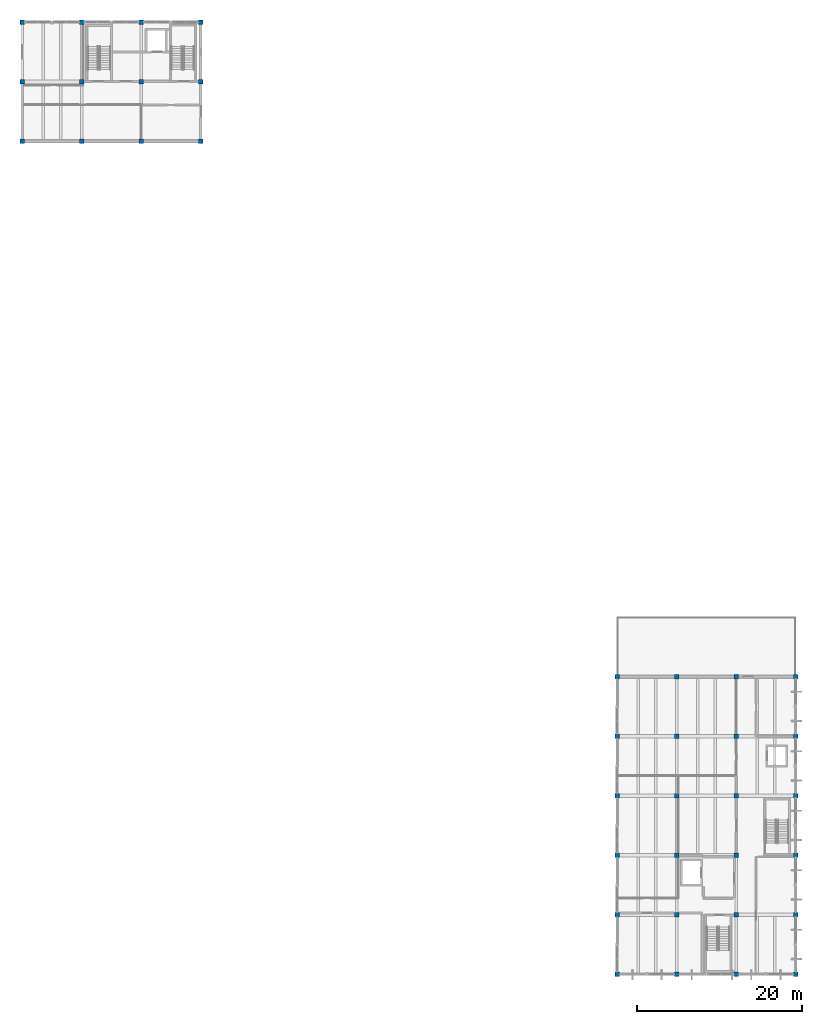
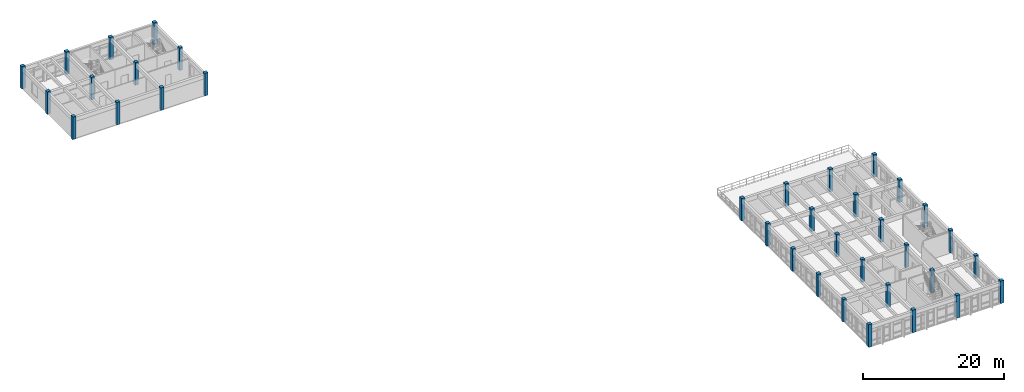
# One storey, part 1 of 22: 36 columns.
"""IFC4 building model written with IfcOpenShell, lengths in metres."""

from ifc_helpers import new_model, si_unit, direction, frame, origin, origin_2d, place, context, subcontext, project, spatial, rectangle, extrude, material, material_profile, profile_set, type_object, element, save


model = new_model("IFC4")

# Units and contexts
model_context = context("Model", 3, precision=1e-05, world=origin(), true_north=direction((0.0, 1.0)))
body_context = subcontext(model_context, "Body", "Model", "MODEL_VIEW")
ifc_project = project(units=[si_unit("LENGTHUNIT", "METRE"), si_unit("AREAUNIT", "SQUARE_METRE"), si_unit("VOLUMEUNIT", "CUBIC_METRE"), si_unit("PLANEANGLEUNIT", "RADIAN"), si_unit("MASSUNIT", "GRAM", prefix="KILO")], contexts=[model_context])

# Site, building, storey
site_placement = place(None, origin())
site = spatial("IfcSite", under=ifc_project, at=site_placement, CompositionType="ELEMENT")
building_placement = place(site_placement, origin())
building = spatial("IfcBuilding", under=site, at=building_placement, Name="Koriwan Promenade Central Fire Station", CompositionType="ELEMENT")
storey_placement = place(building_placement, frame((0.0, 0.0, 17.39990234375)))
storey = spatial("IfcBuildingStorey", under=building, at=storey_placement, Name="L04", CompositionType="ELEMENT", Elevation=17.39990234375)

# Columns
ifc_material = material(Name="Concrete C40/50", Category="concrete")
ifc_material_profile = material_profile(ifc_material, rectangle(XDim=0.550048828125, YDim=0.550048828125, at=origin_2d()), Name="RC-COL-550x550")
ifc_profile_set = profile_set([ifc_material_profile], Name="Concrete C40/50")
column_type = type_object("IfcColumnType", Name="Column_RC-COL-550x550", PredefinedType="COLUMN", material=ifc_profile_set)
for number, where, z_axis, x_axis, name in (
    (1, (79.199951171875, 100.800048828125, 0.0), (0.0, 0.0, 1.0), (1.0, 0.0, 0.0), "V2 L04 column (79.2, 100.8)"),
    (2, (79.199951171875, 108.0, 0.0), (0.0, 0.0, 1.0), (1.0, 0.0, 0.0), "V2 L04 column (79.2, 108.0)"),
    (3, (79.199951171875, 115.199951171875, 0.0), (0.0, 0.0, 1.0), (1.0, 0.0, 0.0), "V2 L04 column (79.2, 115.2)"),
    (4, (86.39990234375, 100.800048828125, 0.0), (0.0, 0.0, 1.0), (1.0, 0.0, 0.0), "V2 L04 column (86.4, 100.8)"),
    (5, (86.39990234375, 108.0, 0.0), (0.0, 0.0, 1.0), (1.0, 0.0, 0.0), "V2 L04 column (86.4, 108.0)"),
    (6, (86.39990234375, 115.199951171875, 0.0), (0.0, 0.0, 1.0), (1.0, 0.0, 0.0), "V2 L04 column (86.4, 115.2)"),
    (7, (93.60009765625, 100.800048828125, 0.0), (0.0, 0.0, 1.0), (1.0, 0.0, 0.0), "V2 L04 column (93.6, 100.8)"),
    (8, (93.60009765625, 108.0, 0.0), (0.0, 0.0, 1.0), (1.0, 0.0, 0.0), "V2 L04 column (93.6, 108.0)"),
    (9, (93.60009765625, 115.199951171875, 0.0), (0.0, 0.0, 1.0), (1.0, 0.0, 0.0), "V2 L04 column (93.6, 115.2)"),
    (10, (100.800048828125, 100.800048828125, 0.0), (0.0, 0.0, 1.0), (1.0, 0.0, 0.0), "V2 L04 column (100.8, 100.8)"),
    (11, (100.800048828125, 108.0, 0.0), (0.0, 0.0, 1.0), (1.0, 0.0, 0.0), "V2 L04 column (100.8, 108.0)"),
    (12, (100.800048828125, 115.199951171875, 0.0), (0.0, 0.0, 1.0), (1.0, 0.0, 0.0), "V2 L04 column (100.8, 115.2)"),
    (13, (151.199951171875, 0.0, 0.0), (0.0, 0.0, 1.0), (1.0, 0.0, 0.0), "V5 L04 column (151.2, 0.0)"),
    (14, (151.199951171875, 7.199951171875, 0.0), (0.0, 0.0, 1.0), (1.0, 0.0, 0.0), "V5 L04 column (151.2, 7.2)"),
    (15, (151.199951171875, 14.39990234375, 0.0), (0.0, 0.0, 1.0), (1.0, 0.0, 0.0), "V5 L04 column (151.2, 14.4)"),
    (16, (151.199951171875, 21.60009765625, 0.0), (0.0, 0.0, 1.0), (1.0, 0.0, 0.0), "V5 L04 column (151.2, 21.6)"),
    (17, (151.199951171875, 28.800048828125, 0.0), (0.0, 0.0, 1.0), (1.0, 0.0, 0.0), "V5 L04 column (151.2, 28.8)"),
    (18, (151.199951171875, 36.0, 0.0), (0.0, 0.0, 1.0), (1.0, 0.0, 0.0), "V5 L04 column (151.2, 36.0)"),
    (19, (158.39990234375, 0.0, 0.0), (0.0, 0.0, 1.0), (1.0, 0.0, 0.0), "V5 L04 column (158.4, 0.0)"),
    (20, (158.39990234375, 7.199951171875, 0.0), (0.0, 0.0, 1.0), (1.0, 0.0, 0.0), "V5 L04 column (158.4, 7.2)"),
    (21, (158.39990234375, 14.39990234375, 0.0), (0.0, 0.0, 1.0), (1.0, 0.0, 0.0), "V5 L04 column (158.4, 14.4)"),
    (22, (158.39990234375, 21.60009765625, 0.0), (0.0, 0.0, 1.0), (1.0, 0.0, 0.0), "V5 L04 column (158.4, 21.6)"),
    (23, (158.39990234375, 28.800048828125, 0.0), (0.0, 0.0, 1.0), (1.0, 0.0, 0.0), "V5 L04 column (158.4, 28.8)"),
    (24, (158.39990234375, 36.0, 0.0), (0.0, 0.0, 1.0), (1.0, 0.0, 0.0), "V5 L04 column (158.4, 36.0)"),
    (25, (165.60009765625, 0.0, 0.0), (0.0, 0.0, 1.0), (1.0, 0.0, 0.0), "V5 L04 column (165.6, 0.0)"),
    (26, (165.60009765625, 7.199951171875, 0.0), (0.0, 0.0, 1.0), (1.0, 0.0, 0.0), "V5 L04 column (165.6, 7.2)"),
    (27, (165.60009765625, 14.39990234375, 0.0), (0.0, 0.0, 1.0), (1.0, 0.0, 0.0), "V5 L04 column (165.6, 14.4)"),
    (28, (165.60009765625, 21.60009765625, 0.0), (0.0, 0.0, 1.0), (1.0, 0.0, 0.0), "V5 L04 column (165.6, 21.6)"),
    (29, (165.60009765625, 28.800048828125, 0.0), (0.0, 0.0, 1.0), (1.0, 0.0, 0.0), "V5 L04 column (165.6, 28.8)"),
    (30, (165.60009765625, 36.0, 0.0), (0.0, 0.0, 1.0), (1.0, 0.0, 0.0), "V5 L04 column (165.6, 36.0)"),
    (31, (172.800048828125, 0.0, 0.0), (0.0, 0.0, 1.0), (1.0, 0.0, 0.0), "V5 L04 column (172.8, 0.0)"),
    (32, (172.800048828125, 7.199951171875, 0.0), (0.0, 0.0, 1.0), (1.0, 0.0, 0.0), "V5 L04 column (172.8, 7.2)"),
    (33, (172.800048828125, 14.39990234375, 0.0), (0.0, 0.0, 1.0), (1.0, 0.0, 0.0), "V5 L04 column (172.8, 14.4)"),
    (34, (172.800048828125, 21.60009765625, 0.0), (0.0, 0.0, 1.0), (1.0, 0.0, 0.0), "V5 L04 column (172.8, 21.6)"),
    (35, (172.800048828125, 28.800048828125, 0.0), (0.0, 0.0, 1.0), (1.0, 0.0, 0.0), "V5 L04 column (172.8, 28.8)"),
    (36, (172.800048828125, 36.0, 0.0), (0.0, 0.0, 1.0), (1.0, 0.0, 0.0), "V5 L04 column (172.8, 36.0)"),
):
    element("IfcColumn", number, at=place(storey_placement, frame(where, z_axis=z_axis, x_axis=x_axis)), inside=storey, type_object=column_type, Name=name, PredefinedType="COLUMN", context=body_context, shape_type="SweptSolid", body=[
        extrude(rectangle(XDim=0.550048828125, YDim=0.550048828125, at=origin_2d()), origin(), (0.0, 0.0, 1.0), 3.900146484375),
    ])

save(model, "model.ifc")
